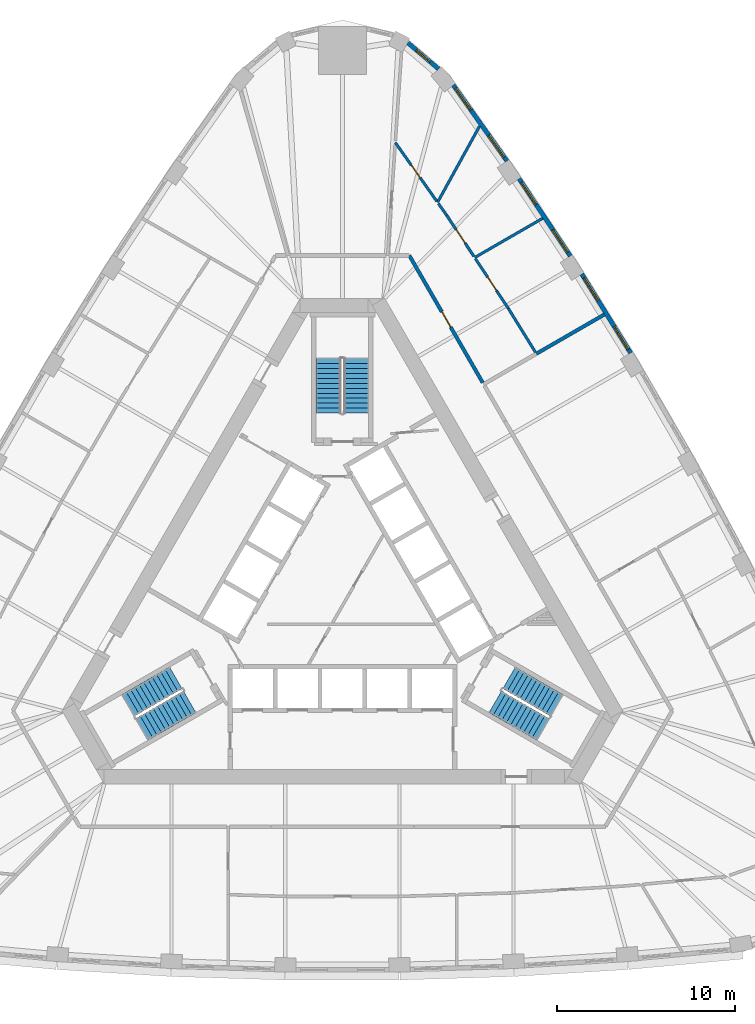
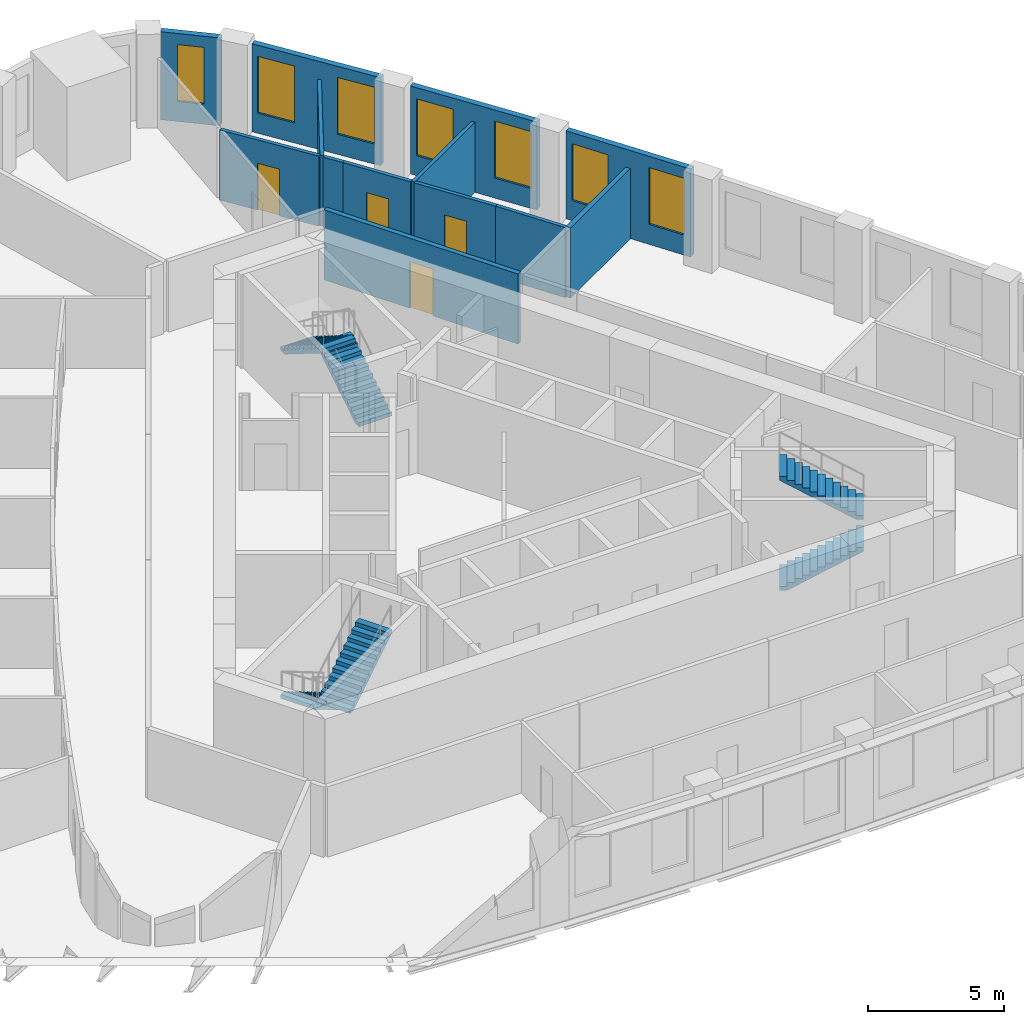
# One storey, part 10 of 11: 13 walls, 7 windows, 6 stair flights, 4 doors, 11 openings, 3 elements without a shape of their own.
"""IFC4 building model written with IfcOpenShell, lengths in metres."""

from ifc_helpers import new_model, si_unit, direction, frame, frame_2d, origin, place, context, subcontext, project, spatial, polyline, rectangle, outline, extrude, material, layer, layer_set, type_object, element, fill, aggregate, save


model = new_model("IFC4")

# Units and contexts
model_context = context("Model", 3, precision=1e-05, world=origin(), true_north=direction((0.0, 1.0)))
body_context = subcontext(model_context, "Body", "Model", "MODEL_VIEW")
ifc_project = project(units=[si_unit("LENGTHUNIT", "METRE"), si_unit("AREAUNIT", "SQUARE_METRE"), si_unit("VOLUMEUNIT", "CUBIC_METRE"), si_unit("PLANEANGLEUNIT", "RADIAN"), si_unit("MASSUNIT", "GRAM", prefix="KILO")], contexts=[model_context])

# Site, building, storey
site_placement = place(None, origin())
site = spatial("IfcSite", under=ifc_project, at=site_placement, CompositionType="ELEMENT")
building_placement = place(site_placement, origin())
building = spatial("IfcBuilding", under=site, at=building_placement, Name="Mestral Congress Tower", CompositionType="ELEMENT")
storey_placement = place(building_placement, frame((0.0, 0.0, 175.199951171875)))
storey = spatial("IfcBuildingStorey", under=building, at=storey_placement, Name="L41", CompositionType="ELEMENT", Elevation=175.199951171875)

# Wall, openings, windows
ifc_material_1 = material(Name="Precast concrete C40/50 with limestone facing", Category="masonry")
ifc_layer_1 = layer(ifc_material_1, 0.239990234375)
ifc_layer_set_1 = layer_set([ifc_layer_1], Name="Precast concrete C40/50 with limestone facing")
wall_type_1 = type_object("IfcWallType", Name="Facade stone wall 240", PredefinedType="SOLIDWALL", material=ifc_layer_set_1)
wall_1_placement = place(storey_placement, frame((16.170654296875, 13.731201171875, 0.0), z_axis=(0.0, 0.0, 1.0), x_axis=(-0.526197926587, 0.850362124072, 0.0)))
wall_1 = element("IfcWall", 1, at=wall_1_placement, inside=storey, type_object=wall_type_1, Name="Facade wall F1-04", PredefinedType="SOLIDWALL", context=body_context, shape_type="SweptSolid", body=[
    extrude(rectangle(XDim=5.203369140625, YDim=0.239990234375, at=frame_2d((2.6015625, 0.0))), origin(), (0.0, 0.0, 1.0), 3.949951171875),
])
opening_1_placement = place(wall_1_placement, frame((0.248291015625, 0.0, 0.89990234375)))
opening_1 = element("IfcOpeningElement", 2, at=opening_1_placement, cuts=wall_1, Name="Opening W4", PredefinedType="OPENING", context=body_context, shape_type="SweptSolid", body=[
    extrude(rectangle(XDim=1.5, YDim=2.550048828125, at=frame_2d((0.75, 1.27490234375))), frame((0.0, 0.1298828125, 0.0), z_axis=(0.0, -1.0, 0.0), x_axis=(1.0, 0.0, 0.0)), (0.0, 0.0, 1.0), 0.260009765625),
])
opening_2_placement = place(wall_1_placement, frame((3.455078125, 0.0, 0.89990234375)))
opening_2 = element("IfcOpeningElement", 3, at=opening_2_placement, cuts=wall_1, Name="Opening W4", PredefinedType="OPENING", context=body_context, shape_type="SweptSolid", body=[
    extrude(rectangle(XDim=1.5, YDim=2.550048828125, at=frame_2d((0.75, 1.27490234375))), frame((0.0, 0.1298828125, 0.0), z_axis=(0.0, -1.0, 0.0), x_axis=(1.0, 0.0, 0.0)), (0.0, 0.0, 1.0), 0.260009765625),
])
ifc_material_2 = material(Name="Clear low-emissivity double glazing", Category="glass")
window_type_1 = type_object("IfcWindowType", Name="Facade punched window 1500 x 2550 sill 900", PartitioningType="SINGLE_PANEL", PredefinedType="WINDOW", material=ifc_material_2)
window_1_placement = place(opening_1_placement, origin())
window_1 = element("IfcWindow", 4, at=window_1_placement, inside=storey, type_object=window_type_1, Name="Window F1-04a", OverallHeight=2.550048828125, OverallWidth=1.5, PartitioningType="SINGLE_PANEL", PredefinedType="WINDOW", context=body_context, shape_type="SweptSolid", body=[
    extrude(rectangle(XDim=1.5, YDim=2.550048828125, at=frame_2d((0.75, 1.27490234375))), frame((0.0, 0.0400390625, 0.0), z_axis=(0.0, -1.0, 0.0), x_axis=(1.0, 0.0, 0.0)), (0.0, 0.0, 1.0), 0.06005859375),
])
fill(opening_1, window_1)
window_2_placement = place(opening_2_placement, origin())
window_2 = element("IfcWindow", 5, at=window_2_placement, inside=storey, type_object=window_type_1, Name="Window F1-04b", OverallHeight=2.550048828125, OverallWidth=1.5, PartitioningType="SINGLE_PANEL", PredefinedType="WINDOW", context=body_context, shape_type="SweptSolid", body=[
    extrude(rectangle(XDim=1.5, YDim=2.550048828125, at=frame_2d((0.75, 1.27490234375))), frame((0.0, 0.0400390625, 0.0), z_axis=(0.0, -1.0, 0.0), x_axis=(1.0, 0.0, 0.0)), (0.0, 0.0, 1.0), 0.06005859375),
])
fill(opening_2, window_2)

wall_2_placement = place(storey_placement, frame((12.783203125, 19.170654296875, 0.0), z_axis=(0.0, 0.0, 1.0), x_axis=(-0.551892811511, 0.833915058386, 0.0)))
wall_2 = element("IfcWall", 6, at=wall_2_placement, inside=storey, type_object=wall_type_1, Name="Facade wall F1-05", PredefinedType="SOLIDWALL", context=body_context, shape_type="SweptSolid", body=[
    extrude(rectangle(XDim=5.20361328125, YDim=0.239990234375, at=frame_2d((2.601806640625, 0.0))), origin(), (0.0, 0.0, 1.0), 3.949951171875),
])
opening_3_placement = place(wall_2_placement, frame((0.248291015625, 0.0, 0.89990234375)))
opening_3 = element("IfcOpeningElement", 7, at=opening_3_placement, cuts=wall_2, Name="Opening W4", PredefinedType="OPENING", context=body_context, shape_type="SweptSolid", body=[
    extrude(rectangle(XDim=1.5, YDim=2.550048828125, at=frame_2d((0.75, 1.27490234375))), frame((0.0, 0.1298828125, 0.0), z_axis=(0.0, -1.0, 0.0), x_axis=(1.0, 0.0, 0.0)), (0.0, 0.0, 1.0), 0.260009765625),
])
opening_4_placement = place(wall_2_placement, frame((3.455078125, 0.0, 0.89990234375)))
opening_4 = element("IfcOpeningElement", 8, at=opening_4_placement, cuts=wall_2, Name="Opening W4", PredefinedType="OPENING", context=body_context, shape_type="SweptSolid", body=[
    extrude(rectangle(XDim=1.5, YDim=2.550048828125, at=frame_2d((0.75, 1.27490234375))), frame((0.0, 0.1298828125, 0.0), z_axis=(0.0, -1.0, 0.0), x_axis=(1.0, 0.0, 0.0)), (0.0, 0.0, 1.0), 0.260009765625),
])
window_3_placement = place(opening_3_placement, origin())
window_3 = element("IfcWindow", 9, at=window_3_placement, inside=storey, type_object=window_type_1, Name="Window F1-05a", OverallHeight=2.550048828125, OverallWidth=1.5, PartitioningType="SINGLE_PANEL", PredefinedType="WINDOW", context=body_context, shape_type="SweptSolid", body=[
    extrude(rectangle(XDim=1.5, YDim=2.550048828125, at=frame_2d((0.75, 1.27490234375))), frame((0.0, 0.0400390625, 0.0), z_axis=(0.0, -1.0, 0.0), x_axis=(1.0, 0.0, 0.0)), (0.0, 0.0, 1.0), 0.06005859375),
])
fill(opening_3, window_3)
window_4_placement = place(opening_4_placement, origin())
window_4 = element("IfcWindow", 10, at=window_4_placement, inside=storey, type_object=window_type_1, Name="Window F1-05b", OverallHeight=2.550048828125, OverallWidth=1.5, PartitioningType="SINGLE_PANEL", PredefinedType="WINDOW", context=body_context, shape_type="SweptSolid", body=[
    extrude(rectangle(XDim=1.5, YDim=2.550048828125, at=frame_2d((0.75, 1.27490234375))), frame((0.0, 0.0400390625, 0.0), z_axis=(0.0, -1.0, 0.0), x_axis=(1.0, 0.0, 0.0)), (0.0, 0.0, 1.0), 0.06005859375),
])
fill(opening_4, window_4)

wall_3_placement = place(storey_placement, frame((9.231201171875, 24.50439453125, 0.0), z_axis=(0.0, 0.0, 1.0), x_axis=(-0.577115207679, 0.816662743772, 0.0)))
wall_3 = element("IfcWall", 11, at=wall_3_placement, inside=storey, type_object=wall_type_1, Name="Facade wall F1-06", PredefinedType="SOLIDWALL", context=body_context, shape_type="SweptSolid", body=[
    extrude(rectangle(XDim=5.213134765625, YDim=0.239990234375, at=frame_2d((2.6064453125, 0.0))), origin(), (0.0, 0.0, 1.0), 3.949951171875),
])
opening_5_placement = place(wall_3_placement, frame((0.2607421875, 0.0, 0.89990234375)))
opening_5 = element("IfcOpeningElement", 12, at=opening_5_placement, cuts=wall_3, Name="Opening W4", PredefinedType="OPENING", context=body_context, shape_type="SweptSolid", body=[
    extrude(rectangle(XDim=1.5, YDim=2.550048828125, at=frame_2d((0.75, 1.27490234375))), frame((0.0, 0.1298828125, 0.0), z_axis=(0.0, -1.0, 0.0), x_axis=(1.0, 0.0, 0.0)), (0.0, 0.0, 1.0), 0.260009765625),
])
opening_6_placement = place(wall_3_placement, frame((3.492431640625, 0.0, 0.89990234375)))
opening_6 = element("IfcOpeningElement", 13, at=opening_6_placement, cuts=wall_3, Name="Opening W4", PredefinedType="OPENING", context=body_context, shape_type="SweptSolid", body=[
    extrude(rectangle(XDim=1.5, YDim=2.550048828125, at=frame_2d((0.75, 1.27490234375))), frame((0.0, 0.1298828125, 0.0), z_axis=(0.0, -1.0, 0.0), x_axis=(1.0, 0.0, 0.0)), (0.0, 0.0, 1.0), 0.260009765625),
])
window_5_placement = place(opening_5_placement, origin())
window_5 = element("IfcWindow", 14, at=window_5_placement, inside=storey, type_object=window_type_1, Name="Window F1-06a", OverallHeight=2.550048828125, OverallWidth=1.5, PartitioningType="SINGLE_PANEL", PredefinedType="WINDOW", context=body_context, shape_type="SweptSolid", body=[
    extrude(rectangle(XDim=1.5, YDim=2.550048828125, at=frame_2d((0.75, 1.27490234375))), frame((0.0, 0.0400390625, 0.0), z_axis=(0.0, -1.0, 0.0), x_axis=(1.0, 0.0, 0.0)), (0.0, 0.0, 1.0), 0.06005859375),
])
fill(opening_5, window_5)
window_6_placement = place(opening_6_placement, origin())
window_6 = element("IfcWindow", 15, at=window_6_placement, inside=storey, type_object=window_type_1, Name="Window F1-06b", OverallHeight=2.550048828125, OverallWidth=1.5, PartitioningType="SINGLE_PANEL", PredefinedType="WINDOW", context=body_context, shape_type="SweptSolid", body=[
    extrude(rectangle(XDim=1.5, YDim=2.550048828125, at=frame_2d((0.75, 1.27490234375))), frame((0.0, 0.0400390625, 0.0), z_axis=(0.0, -1.0, 0.0), x_axis=(1.0, 0.0, 0.0)), (0.0, 0.0, 1.0), 0.06005859375),
])
fill(opening_6, window_6)

# Wall, opening, window
wall_4_placement = place(storey_placement, frame((5.3916015625, 29.672119140625, 0.0), z_axis=(0.0, 0.0, 1.0), x_axis=(-0.761419744247, 0.648259186645, 0.0)))
wall_4 = element("IfcWall", 16, at=wall_4_placement, inside=storey, type_object=wall_type_1, Name="Facade wall K1-0", PredefinedType="SOLIDWALL", context=body_context, shape_type="SweptSolid", body=[
    extrude(rectangle(XDim=2.250244140625, YDim=0.239990234375, at=frame_2d((1.125, 0.0))), origin(), (0.0, 0.0, 1.0), 3.949951171875),
])
opening_7_placement = place(wall_4_placement, frame((0.625244140625, 0.0, 0.89990234375)))
opening_7 = element("IfcOpeningElement", 17, at=opening_7_placement, cuts=wall_4, Name="Opening W5", PredefinedType="OPENING", context=body_context, shape_type="SweptSolid", body=[
    extrude(rectangle(XDim=1.0, YDim=2.550048828125, at=frame_2d((0.5, 1.27490234375))), frame((0.0, 0.1298828125, 0.0), z_axis=(0.0, -1.0, 0.0), x_axis=(1.0, 0.0, 0.0)), (0.0, 0.0, 1.0), 0.260009765625),
])
window_type_2 = type_object("IfcWindowType", Name="Facade punched window 1000 x 2550 sill 900", PartitioningType="SINGLE_PANEL", PredefinedType="WINDOW", material=ifc_material_2)
window_7_placement = place(opening_7_placement, origin())
window_7 = element("IfcWindow", 18, at=window_7_placement, inside=storey, type_object=window_type_2, Name="Window K1-0", OverallHeight=2.550048828125, OverallWidth=1.0, PartitioningType="SINGLE_PANEL", PredefinedType="WINDOW", context=body_context, shape_type="SweptSolid", body=[
    extrude(rectangle(XDim=1.0, YDim=2.550048828125, at=frame_2d((0.5, 1.27490234375))), frame((0.0, 0.0400390625, 0.0), z_axis=(0.0, -1.0, 0.0), x_axis=(1.0, 0.0, 0.0)), (0.0, 0.0, 1.0), 0.06005859375),
])
fill(opening_7, window_7)

# Walls
ifc_material_3 = material(Name="Plasterboard partition on steel studs", Category="steel")
ifc_layer_2 = layer(ifc_material_3, 0.14990234375)
ifc_layer_set_2 = layer_set([ifc_layer_2], Name="Plasterboard partition on steel studs")
wall_type_2 = type_object("IfcWallType", Name="Office partition 150", PredefinedType="PARTITIONING", material=ifc_layer_set_2)
wall_5_placement = place(storey_placement, frame((7.419921875, 19.084716796875, 0.0), z_axis=(0.0, 0.0, 1.0), x_axis=(0.866012184407, 0.500022895934, 0.0)))
element("IfcWall", 19, at=wall_5_placement, inside=storey, type_object=wall_type_2, Name="Partition", PredefinedType="PARTITIONING", context=body_context, shape_type="SweptSolid", body=[
    extrude(rectangle(XDim=4.407958984375, YDim=0.14990234375, at=frame_2d((2.2041015625, 0.0))), origin(), (0.0, 0.0, 1.0), 3.150146484375),
])
wall_6_placement = place(storey_placement, frame((10.830078125, 13.772216796875, 0.0), z_axis=(0.0, 0.0, 1.0), x_axis=(-0.526229630206, 0.850342505284, 0.0)))
element("IfcWall", 20, at=wall_6_placement, inside=storey, type_object=wall_type_2, Name="Partition", PredefinedType="PARTITIONING", context=body_context, shape_type="SweptSolid", body=[
    extrude(rectangle(XDim=2.891845703125, YDim=0.14990234375, at=frame_2d((1.44580078125, 0.0))), origin(), (0.0, 0.0, 1.0), 3.150146484375),
])

# Wall, opening, door
wall_7_placement = place(storey_placement, frame((7.461181640625, 19.022216796875, 0.0), z_axis=(0.0, 0.0, 1.0), x_axis=(0.551902709159, -0.833908507945, 0.0)))
wall_7 = element("IfcWall", 21, at=wall_7_placement, inside=storey, type_object=wall_type_2, Name="Partition", PredefinedType="PARTITIONING", context=body_context, shape_type="SweptSolid", body=[
    extrude(rectangle(XDim=3.346923828125, YDim=0.14990234375, at=frame_2d((1.67333984375, 0.0))), origin(), (0.0, 0.0, 1.0), 3.150146484375),
])
opening_8_placement = place(wall_7_placement, frame((1.24658203125, 0.0, 0.0)))
opening_8 = element("IfcOpeningElement", 22, at=opening_8_placement, cuts=wall_7, Name="Opening O03-009", PredefinedType="OPENING", context=body_context, shape_type="SweptSolid", body=[
    extrude(rectangle(XDim=0.89990234375, YDim=2.10009765625, at=frame_2d((0.449951171875, 1.050048828125))), frame((0.0, 0.0849609375, 0.0), z_axis=(0.0, -1.0, 0.0), x_axis=(1.0, 0.0, 0.0)), (0.0, 0.0, 1.0), 0.169921875),
])
ifc_material_4 = material(Name="Timber door set", Category="wood")
door_type_1 = type_object("IfcDoorType", Name="Office door 900x2100", OperationType="SINGLE_SWING_LEFT", PredefinedType="DOOR", material=ifc_material_4)
door_1_placement = place(opening_8_placement, origin())
door_1 = element("IfcDoor", 23, at=door_1_placement, inside=storey, type_object=door_type_1, Name="Door O03-009", OperationType="SINGLE_SWING_RIGHT", OverallHeight=2.10009765625, OverallWidth=0.89990234375, PredefinedType="DOOR", context=body_context, shape_type="SweptSolid", body=[
    extrude(rectangle(XDim=0.89990234375, YDim=2.10009765625, at=frame_2d((0.449951171875, 1.050048828125))), frame((0.0, 0.02490234375, 0.0), z_axis=(0.0, -1.0, 0.0), x_axis=(1.0, 0.0, 0.0)), (0.0, 0.0, 1.0), 0.050048828125),
])
fill(opening_8, door_1)

# Wall
wall_8_placement = place(storey_placement, frame((5.336669921875, 22.183349609375, 0.0), z_axis=(0.0, 0.0, 1.0), x_axis=(0.482995509385, 0.875622828571, 0.0)))
element("IfcWall", 24, at=wall_8_placement, inside=storey, type_object=wall_type_2, Name="Partition", PredefinedType="PARTITIONING", context=body_context, shape_type="SweptSolid", body=[
    extrude(rectangle(XDim=4.889892578125, YDim=0.14990234375, at=frame_2d((2.44482421875, 0.0))), origin(), (0.0, 0.0, 1.0), 3.150146484375),
])

# Wall, opening, door
wall_9_placement = place(storey_placement, frame((5.84765625, 21.460205078125, 0.0), z_axis=(0.0, 0.0, 1.0), x_axis=(0.551934419249, -0.833887520502, 0.0)))
wall_9 = element("IfcWall", 25, at=wall_9_placement, inside=storey, type_object=wall_type_2, Name="Partition", PredefinedType="PARTITIONING", context=body_context, shape_type="SweptSolid", body=[
    extrude(rectangle(XDim=2.7734375, YDim=0.14990234375, at=frame_2d((1.38671875, 0.0))), origin(), (0.0, 0.0, 1.0), 3.150146484375),
])
opening_9_placement = place(wall_9_placement, frame((0.973388671875, 0.0, 0.0)))
opening_9 = element("IfcOpeningElement", 26, at=opening_9_placement, cuts=wall_9, Name="Opening O03-010", PredefinedType="OPENING", context=body_context, shape_type="SweptSolid", body=[
    extrude(rectangle(XDim=0.89990234375, YDim=2.10009765625, at=frame_2d((0.449951171875, 1.050048828125))), frame((0.0, 0.0849609375, 0.0), z_axis=(0.0, -1.0, 0.0), x_axis=(1.0, 0.0, 0.0)), (0.0, 0.0, 1.0), 0.169921875),
])
door_2_placement = place(opening_9_placement, origin())
door_2 = element("IfcDoor", 27, at=door_2_placement, inside=storey, type_object=door_type_1, Name="Door O03-010", OperationType="SINGLE_SWING_RIGHT", OverallHeight=2.10009765625, OverallWidth=0.89990234375, PredefinedType="DOOR", context=body_context, shape_type="SweptSolid", body=[
    extrude(rectangle(XDim=0.89990234375, YDim=2.10009765625, at=frame_2d((0.449951171875, 1.050048828125))), frame((0.0, 0.02490234375, 0.0), z_axis=(0.0, -1.0, 0.0), x_axis=(1.0, 0.0, 0.0)), (0.0, 0.0, 1.0), 0.050048828125),
])
fill(opening_9, door_2)

# Wall
wall_10_placement = place(storey_placement, frame((5.84765625, 21.460205078125, 0.0), z_axis=(0.0, 0.0, 1.0), x_axis=(-0.577113333385, 0.816664068286, 0.0)))
element("IfcWall", 28, at=wall_10_placement, inside=storey, type_object=wall_type_2, Name="Partition", PredefinedType="PARTITIONING", context=body_context, shape_type="SweptSolid", body=[
    extrude(rectangle(XDim=0.802001953125, YDim=0.14990234375, at=frame_2d((0.40087890625, 0.0))), origin(), (0.0, 0.0, 1.0), 3.150146484375),
])

# Wall, opening, door
wall_11_placement = place(storey_placement, frame((2.965576171875, 25.538818359375, 0.0), z_axis=(0.0, 0.0, 1.0), x_axis=(0.577099839594, -0.816673603798, 0.0)))
wall_11 = element("IfcWall", 29, at=wall_11_placement, inside=storey, type_object=wall_type_2, Name="Partition", PredefinedType="PARTITIONING", context=body_context, shape_type="SweptSolid", body=[
    extrude(rectangle(XDim=4.025390625, YDim=0.14990234375, at=frame_2d((2.0126953125, 0.0))), origin(), (0.0, 0.0, 1.0), 3.150146484375),
])
opening_10_placement = place(wall_11_placement, frame((1.525390625, 0.0, 0.0)))
opening_10 = element("IfcOpeningElement", 30, at=opening_10_placement, cuts=wall_11, Name="Opening O03-011", PredefinedType="OPENING", context=body_context, shape_type="SweptSolid", body=[
    extrude(rectangle(XDim=0.89990234375, YDim=2.10009765625, at=frame_2d((0.449951171875, 1.050048828125))), frame((0.0, 0.0849609375, 0.0), z_axis=(0.0, -1.0, 0.0), x_axis=(1.0, 0.0, 0.0)), (0.0, 0.0, 1.0), 0.169921875),
])
door_3_placement = place(opening_10_placement, origin())
door_3 = element("IfcDoor", 31, at=door_3_placement, inside=storey, type_object=door_type_1, Name="Door O03-011", OperationType="SINGLE_SWING_LEFT", OverallHeight=2.10009765625, OverallWidth=0.89990234375, PredefinedType="DOOR", context=body_context, shape_type="SweptSolid", body=[
    extrude(rectangle(XDim=0.89990234375, YDim=2.10009765625, at=frame_2d((0.449951171875, 1.050048828125))), frame((0.0, 0.02490234375, 0.0), z_axis=(0.0, -1.0, 0.0), x_axis=(1.0, 0.0, 0.0)), (0.0, 0.0, 1.0), 0.050048828125),
])
fill(opening_10, door_3)

# Wall
ifc_material_5 = material(Name="Dense masonry wall, plastered", Category="masonry")
ifc_layer_3 = layer(ifc_material_5, 0.199951171875)
ifc_layer_set_3 = layer_set([ifc_layer_3], Name="Dense masonry wall, plastered")
wall_type_3 = type_object("IfcWallType", Name="Office tenancy wall 200", PredefinedType="PARTITIONING", material=ifc_layer_set_3)
wall_12_placement = place(storey_placement, frame((10.879150390625, 13.68505859375, 0.0), z_axis=(0.0, 0.0, 1.0), x_axis=(0.866035177799, 0.499983070528, 0.0)))
element("IfcWall", 32, at=wall_12_placement, inside=storey, type_object=wall_type_3, Name="Tenancy wall", PredefinedType="PARTITIONING", context=body_context, shape_type="SweptSolid", body=[
    extrude(rectangle(XDim=4.406005859375, YDim=0.199951171875, at=frame_2d((2.203125, 0.0))), origin(), (0.0, 0.0, 1.0), 3.150146484375),
])

# Wall, opening, door
wall_13_placement = place(storey_placement, frame((7.872314453125, 12.064453125, 0.0), z_axis=(0.0, 0.0, 1.0), x_axis=(-0.499995192696, 0.866028179265, 0.0)))
wall_13 = element("IfcWall", 33, at=wall_13_placement, inside=storey, type_object=wall_type_3, Name="Tenancy wall", PredefinedType="PARTITIONING", context=body_context, shape_type="SweptSolid", body=[
    extrude(rectangle(XDim=8.2392578125, YDim=0.199951171875, at=frame_2d((4.11962890625, 0.0))), origin(), (0.0, 0.0, 1.0), 3.150146484375),
])
opening_11_placement = place(wall_13_placement, frame((3.60009765625, 0.0, 0.0)))
opening_11 = element("IfcOpeningElement", 34, at=opening_11_placement, cuts=wall_13, Name="Opening O03-012", PredefinedType="OPENING", context=body_context, shape_type="SweptSolid", body=[
    extrude(rectangle(XDim=1.0, YDim=2.10009765625, at=frame_2d((0.5, 1.050048828125))), frame((0.0, 0.10986328125, 0.0), z_axis=(0.0, -1.0, 0.0), x_axis=(1.0, 0.0, 0.0)), (0.0, 0.0, 1.0), 0.219970703125),
])
ifc_material_6 = material(Name="Fire-rated timber door set", Category="wood")
door_type_2 = type_object("IfcDoorType", Name="Office tenancy entrance door 1000x2100", OperationType="SINGLE_SWING_LEFT", PredefinedType="DOOR", material=ifc_material_6)
door_4_placement = place(opening_11_placement, origin())
door_4 = element("IfcDoor", 35, at=door_4_placement, inside=storey, type_object=door_type_2, Name="Door O03-012", OperationType="SINGLE_SWING_LEFT", OverallHeight=2.10009765625, OverallWidth=1.0, PredefinedType="DOOR", context=body_context, shape_type="SweptSolid", body=[
    extrude(rectangle(XDim=1.0, YDim=2.10009765625, at=frame_2d((0.5, 1.050048828125))), frame((0.0, 0.02490234375, 0.0), z_axis=(0.0, -1.0, 0.0), x_axis=(1.0, 0.0, 0.0)), (0.0, 0.0, 1.0), 0.050048828125),
])
fill(opening_11, door_4)

# Stair, stair flights
ifc_material_7 = material(Name="Concrete C60/75", Category="concrete")
stair_type = type_object("IfcStairType", Name="Exit stair 1400", PredefinedType="HALF_TURN_STAIR", material=ifc_material_7)
placement = place(storey_placement, origin())
stair_1 = element("IfcStair", 36, at=placement, inside=storey, type_object=stair_type, Name="L41 ST1", PredefinedType="HALF_TURN_STAIR")
stair_flight_type = type_object("IfcStairFlightType", Name="Exit stair flight 1400", PredefinedType="STRAIGHT", material=ifc_material_7)
stair_flight_1_placement = place(storey_placement, frame((8.575927734375, -5.84619140625, 0.0), z_axis=(0.0, 0.0, 1.0), x_axis=(0.866025403784, -0.5, 0.0)))
stair_flight_1 = element("IfcStairFlight", 37, at=stair_flight_1_placement, type_object=stair_flight_type, Name="ST1 flight 1", NumberOfRisers=12, NumberOfTreads=11, PredefinedType="STRAIGHT", RiserHeight=0.175, TreadLength=0.28, context=body_context, shape_type="SweptSolid", body=[
    extrude(outline(polyline([(0.0, 0.0), (0.0, 0.175048828125), (0.280029296875, 0.175048828125), (0.280029296875, 0.35009765625), (0.56005859375, 0.35009765625), (0.56005859375, 0.52490234375), (0.840087890625, 0.52490234375), (0.840087890625, 0.699951171875), (1.1201171875, 0.699951171875), (1.1201171875, 0.875), (1.39990234375, 0.875), (1.39990234375, 1.050048828125), (1.679931640625, 1.050048828125), (1.679931640625, 1.22509765625), (1.9599609375, 1.22509765625), (1.9599609375, 1.39990234375), (2.239990234375, 1.39990234375), (2.239990234375, 1.574951171875), (2.52001953125, 1.574951171875), (2.52001953125, 1.75), (2.800048828125, 1.75), (2.800048828125, 1.925048828125), (3.080078125, 1.925048828125), (3.080078125, 2.10009765625), (3.080078125, 1.748291015625), (0.28271484375, 0.0), (0.0, 0.0)])), frame((0.0, 0.699951171875, 0.0), z_axis=(0.0, -1.0, 0.0), x_axis=(1.0, 0.0, 0.0)), (0.0, 0.0, 1.0), 1.39990234375),
])
stair_flight_2_placement = place(storey_placement, frame((12.018310546875, -6.0439453125, 2.10009765625), z_axis=(0.0, 0.0, 1.0), x_axis=(-0.866025403784, 0.5, 0.0)))
stair_flight_2 = element("IfcStairFlight", 38, at=stair_flight_2_placement, type_object=stair_flight_type, Name="ST1 flight 2", NumberOfRisers=12, NumberOfTreads=11, PredefinedType="STRAIGHT", RiserHeight=0.175, TreadLength=0.28, context=body_context, shape_type="SweptSolid", body=[
    extrude(outline(polyline([(0.0, 0.0), (0.0, 0.175048828125), (0.280029296875, 0.175048828125), (0.280029296875, 0.35009765625), (0.56005859375, 0.35009765625), (0.56005859375, 0.52490234375), (0.840087890625, 0.52490234375), (0.840087890625, 0.699951171875), (1.1201171875, 0.699951171875), (1.1201171875, 0.875), (1.39990234375, 0.875), (1.39990234375, 1.050048828125), (1.679931640625, 1.050048828125), (1.679931640625, 1.22509765625), (1.9599609375, 1.22509765625), (1.9599609375, 1.39990234375), (2.239990234375, 1.39990234375), (2.239990234375, 1.574951171875), (2.52001953125, 1.574951171875), (2.52001953125, 1.75), (2.800048828125, 1.75), (2.800048828125, 1.925048828125), (3.080078125, 1.925048828125), (3.080078125, 2.10009765625), (3.080078125, 1.748291015625), (0.28271484375, 0.0), (0.0, 0.0)])), frame((0.0, 0.699951171875, 0.0), z_axis=(0.0, -1.0, 0.0), x_axis=(1.0, 0.0, 0.0)), (0.0, 0.0, 1.0), 1.39990234375),
])
aggregate(stair_1, [stair_flight_1, stair_flight_2])

stair_2 = element("IfcStair", 39, at=placement, inside=storey, type_object=stair_type, Name="L41 ST2", PredefinedType="HALF_TURN_STAIR")
stair_flight_3_placement = place(storey_placement, frame((0.77490234375, 10.35009765625, 0.0), z_axis=(0.0, 0.0, 1.0), x_axis=(0.0, 1.0, 0.0)))
stair_flight_3 = element("IfcStairFlight", 40, at=stair_flight_3_placement, type_object=stair_flight_type, Name="ST2 flight 1", NumberOfRisers=12, NumberOfTreads=11, PredefinedType="STRAIGHT", RiserHeight=0.175, TreadLength=0.28, context=body_context, shape_type="SweptSolid", body=[
    extrude(outline(polyline([(0.0, 0.0), (0.0, 0.175048828125), (0.280029296875, 0.175048828125), (0.280029296875, 0.35009765625), (0.56005859375, 0.35009765625), (0.56005859375, 0.52490234375), (0.840087890625, 0.52490234375), (0.840087890625, 0.699951171875), (1.1201171875, 0.699951171875), (1.1201171875, 0.875), (1.39990234375, 0.875), (1.39990234375, 1.050048828125), (1.679931640625, 1.050048828125), (1.679931640625, 1.22509765625), (1.9599609375, 1.22509765625), (1.9599609375, 1.39990234375), (2.239990234375, 1.39990234375), (2.239990234375, 1.574951171875), (2.52001953125, 1.574951171875), (2.52001953125, 1.75), (2.800048828125, 1.75), (2.800048828125, 1.925048828125), (3.080078125, 1.925048828125), (3.080078125, 2.10009765625), (3.080078125, 1.748291015625), (0.28271484375, 0.0), (0.0, 0.0)])), frame((0.0, 0.699951171875, 0.0), z_axis=(0.0, -1.0, 0.0), x_axis=(1.0, 0.0, 0.0)), (0.0, 0.0, 1.0), 1.39990234375),
])
stair_flight_4_placement = place(storey_placement, frame((-0.77490234375, 13.429931640625, 2.10009765625), z_axis=(0.0, 0.0, 1.0), x_axis=(0.0, -1.0, 0.0)))
stair_flight_4 = element("IfcStairFlight", 41, at=stair_flight_4_placement, type_object=stair_flight_type, Name="ST2 flight 2", NumberOfRisers=12, NumberOfTreads=11, PredefinedType="STRAIGHT", RiserHeight=0.175, TreadLength=0.28, context=body_context, shape_type="SweptSolid", body=[
    extrude(outline(polyline([(0.0, 0.0), (0.0, 0.175048828125), (0.280029296875, 0.175048828125), (0.280029296875, 0.35009765625), (0.56005859375, 0.35009765625), (0.56005859375, 0.52490234375), (0.840087890625, 0.52490234375), (0.840087890625, 0.699951171875), (1.1201171875, 0.699951171875), (1.1201171875, 0.875), (1.39990234375, 0.875), (1.39990234375, 1.050048828125), (1.679931640625, 1.050048828125), (1.679931640625, 1.22509765625), (1.9599609375, 1.22509765625), (1.9599609375, 1.39990234375), (2.239990234375, 1.39990234375), (2.239990234375, 1.574951171875), (2.52001953125, 1.574951171875), (2.52001953125, 1.75), (2.800048828125, 1.75), (2.800048828125, 1.925048828125), (3.080078125, 1.925048828125), (3.080078125, 2.10009765625), (3.080078125, 1.748291015625), (0.28271484375, 0.0), (0.0, 0.0)])), frame((0.0, 0.699951171875, 0.0), z_axis=(0.0, -1.0, 0.0), x_axis=(1.0, 0.0, 0.0)), (0.0, 0.0, 1.0), 1.39990234375),
])
aggregate(stair_2, [stair_flight_3, stair_flight_4])

stair_3 = element("IfcStair", 42, at=placement, inside=storey, type_object=stair_type, Name="L41 ST3", PredefinedType="HALF_TURN_STAIR")
stair_flight_5_placement = place(storey_placement, frame((-9.350830078125, -4.50390625, 0.0), z_axis=(0.0, 0.0, 1.0), x_axis=(-0.866025403784, -0.5, 0.0)))
stair_flight_5 = element("IfcStairFlight", 43, at=stair_flight_5_placement, type_object=stair_flight_type, Name="ST3 flight 1", NumberOfRisers=12, NumberOfTreads=11, PredefinedType="STRAIGHT", RiserHeight=0.175, TreadLength=0.28, context=body_context, shape_type="SweptSolid", body=[
    extrude(outline(polyline([(0.0, 0.0), (0.0, 0.175048828125), (0.280029296875, 0.175048828125), (0.280029296875, 0.35009765625), (0.56005859375, 0.35009765625), (0.56005859375, 0.52490234375), (0.840087890625, 0.52490234375), (0.840087890625, 0.699951171875), (1.1201171875, 0.699951171875), (1.1201171875, 0.875), (1.39990234375, 0.875), (1.39990234375, 1.050048828125), (1.679931640625, 1.050048828125), (1.679931640625, 1.22509765625), (1.9599609375, 1.22509765625), (1.9599609375, 1.39990234375), (2.239990234375, 1.39990234375), (2.239990234375, 1.574951171875), (2.52001953125, 1.574951171875), (2.52001953125, 1.75), (2.800048828125, 1.75), (2.800048828125, 1.925048828125), (3.080078125, 1.925048828125), (3.080078125, 2.10009765625), (3.080078125, 1.748291015625), (0.28271484375, 0.0), (0.0, 0.0)])), frame((0.0, 0.699951171875, 0.0), z_axis=(0.0, -1.0, 0.0), x_axis=(1.0, 0.0, 0.0)), (0.0, 0.0, 1.0), 1.39990234375),
])
stair_flight_6_placement = place(storey_placement, frame((-11.2431640625, -7.38623046875, 2.10009765625), z_axis=(0.0, 0.0, 1.0), x_axis=(0.866025403784, 0.5, 0.0)))
stair_flight_6 = element("IfcStairFlight", 44, at=stair_flight_6_placement, type_object=stair_flight_type, Name="ST3 flight 2", NumberOfRisers=12, NumberOfTreads=11, PredefinedType="STRAIGHT", RiserHeight=0.175, TreadLength=0.28, context=body_context, shape_type="SweptSolid", body=[
    extrude(outline(polyline([(0.0, 0.0), (0.0, 0.175048828125), (0.280029296875, 0.175048828125), (0.280029296875, 0.35009765625), (0.56005859375, 0.35009765625), (0.56005859375, 0.52490234375), (0.840087890625, 0.52490234375), (0.840087890625, 0.699951171875), (1.1201171875, 0.699951171875), (1.1201171875, 0.875), (1.39990234375, 0.875), (1.39990234375, 1.050048828125), (1.679931640625, 1.050048828125), (1.679931640625, 1.22509765625), (1.9599609375, 1.22509765625), (1.9599609375, 1.39990234375), (2.239990234375, 1.39990234375), (2.239990234375, 1.574951171875), (2.52001953125, 1.574951171875), (2.52001953125, 1.75), (2.800048828125, 1.75), (2.800048828125, 1.925048828125), (3.080078125, 1.925048828125), (3.080078125, 2.10009765625), (3.080078125, 1.748291015625), (0.28271484375, 0.0), (0.0, 0.0)])), frame((0.0, 0.699951171875, 0.0), z_axis=(0.0, -1.0, 0.0), x_axis=(1.0, 0.0, 0.0)), (0.0, 0.0, 1.0), 1.39990234375),
])
aggregate(stair_3, [stair_flight_5, stair_flight_6])

save(model, "model.ifc")
